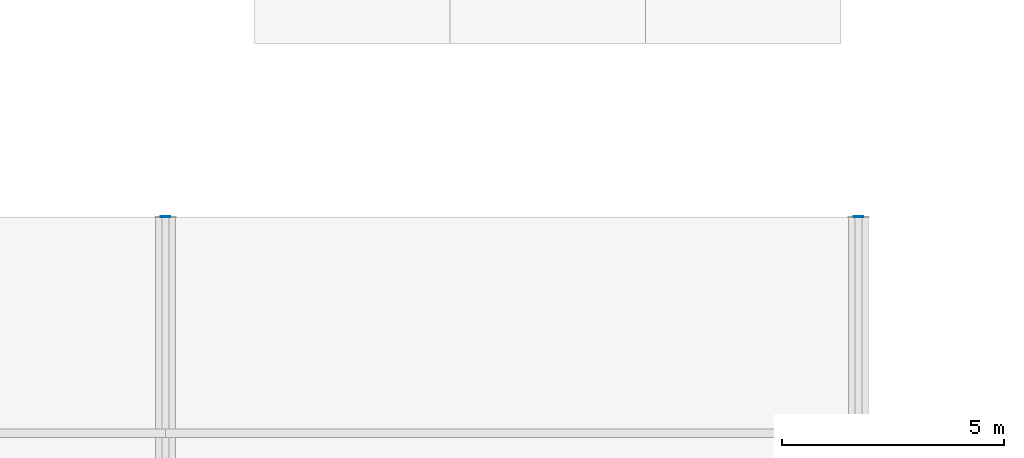
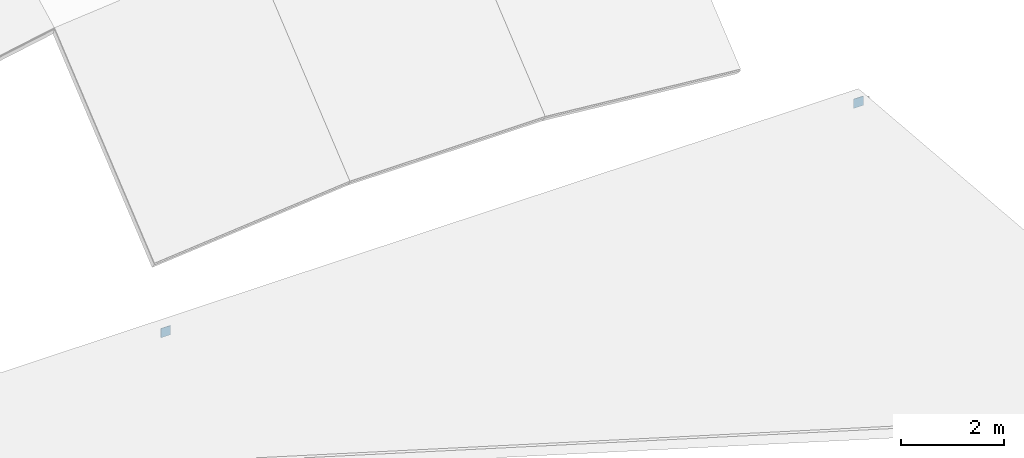
# One storey, part 29 of 45: 2 plates.
"""IFC4 building model written with IfcOpenShell, lengths in metres."""

from ifc_helpers import new_model, si_unit, direction, frame, origin, origin_2d, place, context, subcontext, project, spatial, rectangle, extrude, material, layer, layer_set, type_object, element, save


model = new_model("IFC4")

# Units and contexts
model_context = context("Model", 3, precision=1e-05, world=origin(), true_north=direction((0.0, 1.0)))
body_context = subcontext(model_context, "Body", "Model", "MODEL_VIEW")
ifc_project = project(units=[si_unit("LENGTHUNIT", "METRE"), si_unit("AREAUNIT", "SQUARE_METRE"), si_unit("VOLUMEUNIT", "CUBIC_METRE"), si_unit("PLANEANGLEUNIT", "RADIAN"), si_unit("MASSUNIT", "GRAM", prefix="KILO")], contexts=[model_context])

# Site, building, storey
site_placement = place(None, origin())
site = spatial("IfcSite", under=ifc_project, at=site_placement, CompositionType="ELEMENT")
building_placement = place(site_placement, origin())
building = spatial("IfcBuilding", under=site, at=building_placement, Name="Celorna Specialist Clinic", CompositionType="ELEMENT")
storey_placement = place(building_placement, frame((0.0, 0.0, 18.60009765625)))
storey = spatial("IfcBuildingStorey", under=building, at=storey_placement, Name="L04", CompositionType="ELEMENT", Elevation=18.60009765625)

# Plates
ifc_material = material(Name="Steel S355", Category="steel")
ifc_layer = layer(ifc_material, 0.01611328125, Name="Steel S355")
ifc_layer_set = layer_set([ifc_layer], Name="Steel S355")
plate_type = type_object("IfcPlateType", Name="EP-04", PredefinedType="SHEET", material=ifc_layer_set)
for number, where, z_axis, x_axis, name in (
    (1, (70.199951171875, 42.89990234375, -0.31201171875), (0.0, 0.0, 1.0), (1.0, 0.0, 0.0), "Rafter chord cap plate ROOF-V6-NORTH"),
    (2, (85.800048828125, 42.89990234375, -0.31201171875), (0.0, 0.0, 1.0), (1.0, 0.0, 0.0), "Rafter chord cap plate ROOF-V6-NORTH"),
):
    element("IfcPlate", number, at=place(storey_placement, frame(where, z_axis=z_axis, x_axis=x_axis)), inside=storey, type_object=plate_type, Name=name, PredefinedType="SHEET", context=body_context, shape_type="SweptSolid", body=[
        extrude(rectangle(XDim=0.219970703125, YDim=0.013916015625, at=origin_2d()), origin(), (0.0, 0.0, 1.0), 0.219970703125),
    ])

save(model, "model.ifc")
